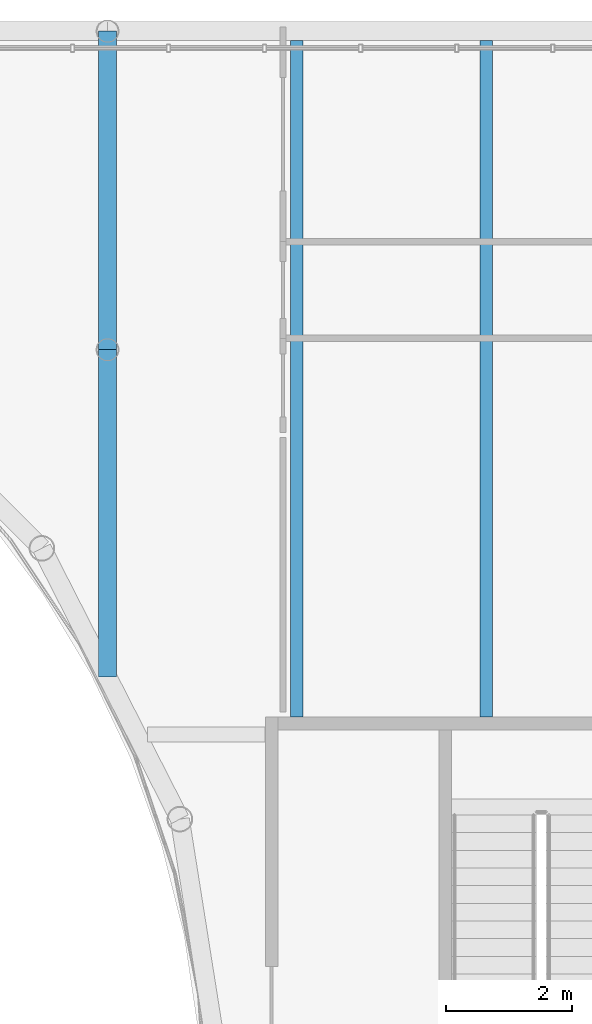
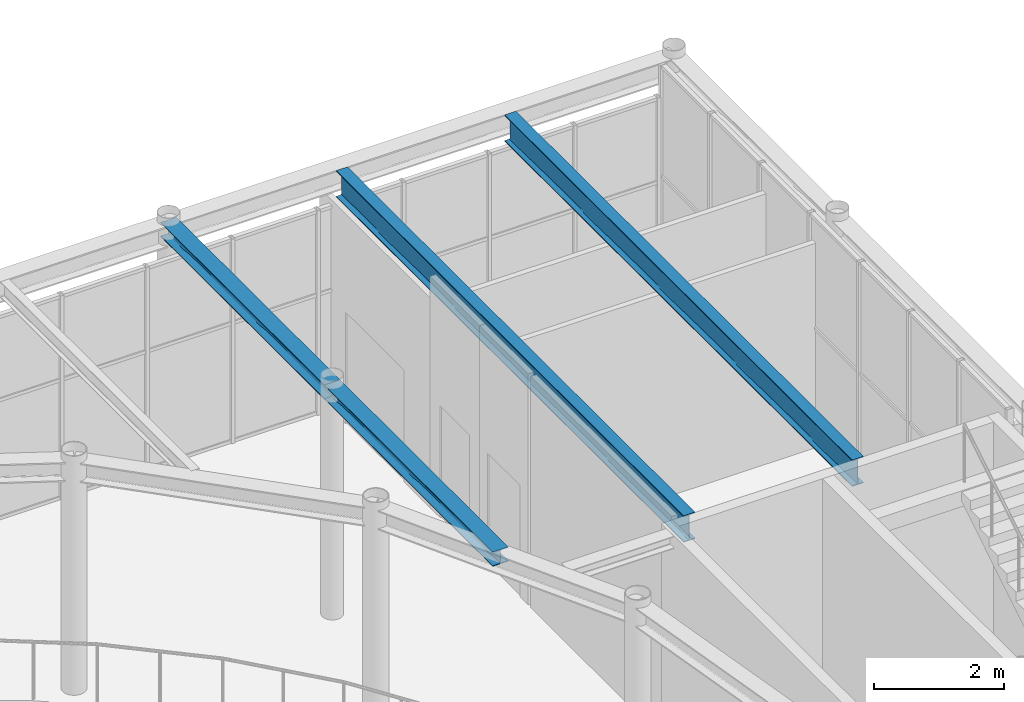
# One storey, part 52 of 111: 4 beams.
"""IFC4 building model written with IfcOpenShell, lengths in metres."""

from ifc_helpers import new_model, si_unit, direction, frame, origin, origin_2d, place, context, subcontext, project, spatial, i_section, extrude, material, material_profile, profile_set, type_object, element, save


model = new_model("IFC4")

# Units and contexts
model_context = context("Model", 3, precision=1e-05, world=origin(), true_north=direction((0.0, 1.0)))
body_context = subcontext(model_context, "Body", "Model", "MODEL_VIEW")
ifc_project = project(units=[si_unit("LENGTHUNIT", "METRE"), si_unit("AREAUNIT", "SQUARE_METRE"), si_unit("VOLUMEUNIT", "CUBIC_METRE"), si_unit("PLANEANGLEUNIT", "RADIAN"), si_unit("MASSUNIT", "GRAM", prefix="KILO")], contexts=[model_context])

# Site, building, storey
site_placement = place(None, origin())
site = spatial("IfcSite", under=ifc_project, at=site_placement, CompositionType="ELEMENT")
building_placement = place(site_placement, origin())
building = spatial("IfcBuilding", under=site, at=building_placement, Name="Kallimachos Central Library", CompositionType="ELEMENT")
storey_placement = place(building_placement, frame((0.0, 0.0, 14.39990234375)))
storey = spatial("IfcBuildingStorey", under=building, at=storey_placement, Name="L03", CompositionType="ELEMENT", Elevation=14.39990234375)

# Beams
ifc_material_1 = material(Name="Steel S355J2", Category="steel")
ifc_material_profile_1 = material_profile(ifc_material_1, i_section(OverallWidth=0.280029296875, OverallDepth=0.27001953125, WebThickness=0.008056640625, FlangeThickness=0.012939453125, FilletRadius=0.02392578125, at=origin_2d()), Name="HEA 280")
ifc_profile_set_1 = profile_set([ifc_material_profile_1], Name="Steel S355J2")
beam_type_1 = type_object("IfcBeamType", Name="HEA 280 beam", PredefinedType="BEAM", material=ifc_profile_set_1)
beam_1_placement = place(storey_placement, frame((101.5, 111.40869140625, 4.215087890625), z_axis=(0.0, 1.0, 0.0), x_axis=(-1.0, 0.0, 0.0)))
element("IfcBeam", 1, at=beam_1_placement, inside=storey, type_object=beam_type_1, Name="V1-BEM-L03-033", PredefinedType="BEAM", context=body_context, shape_type="SweptSolid", body=[
    extrude(i_section(OverallWidth=0.280029296875, OverallDepth=0.27001953125, WebThickness=0.008056640625, FlangeThickness=0.012939453125, FilletRadius=0.02392578125, at=origin_2d()), origin(), (0.0, 0.0, 1.0), 5.19140625),
])
beam_2_placement = place(storey_placement, frame((101.5, 116.60009765625, 4.215087890625), z_axis=(0.0, 1.0, 0.0), x_axis=(-1.0, 0.0, 0.0)))
element("IfcBeam", 2, at=beam_2_placement, inside=storey, type_object=beam_type_1, Name="V1-BEM-L03-034", PredefinedType="BEAM", context=body_context, shape_type="SweptSolid", body=[
    extrude(i_section(OverallWidth=0.280029296875, OverallDepth=0.27001953125, WebThickness=0.008056640625, FlangeThickness=0.012939453125, FilletRadius=0.02392578125, at=origin_2d()), origin(), (0.0, 0.0, 1.0), 5.0498046875),
])
ifc_material_2 = material(Name="Steel S355J2", Category="steel")
ifc_material_profile_2 = material_profile(ifc_material_2, i_section(OverallWidth=0.199951171875, OverallDepth=0.5, WebThickness=0.01025390625, FlangeThickness=0.01611328125, FilletRadius=0.02099609375, at=origin_2d()), Name="IPE 500")
ifc_profile_set_2 = profile_set([ifc_material_profile_2], Name="Steel S355J2")
beam_type_2 = type_object("IfcBeamType", Name="IPE 500 beam", PredefinedType="BEAM", material=ifc_profile_set_2)
for number, where, z_axis, x_axis, name in (
    (3, (104.5, 110.780029296875, 4.10009765625), (0.0, 1.0, 0.0), (-1.0, 0.0, 0.0), "V1-BEM-L03-066"),
    (4, (107.5, 110.780029296875, 4.10009765625), (0.0, 1.0, 0.0), (-1.0, 0.0, 0.0), "V1-BEM-L03-068"),
):
    element("IfcBeam", number, at=place(storey_placement, frame(where, z_axis=z_axis, x_axis=x_axis)), inside=storey, type_object=beam_type_2, Name=name, PredefinedType="BEAM", context=body_context, shape_type="SweptSolid", body=[
        extrude(i_section(OverallWidth=0.199951171875, OverallDepth=0.5, WebThickness=0.01025390625, FlangeThickness=0.01611328125, FilletRadius=0.02099609375, at=origin_2d()), origin(), (0.0, 0.0, 1.0), 10.719970703125),
    ])

save(model, "model.ifc")
